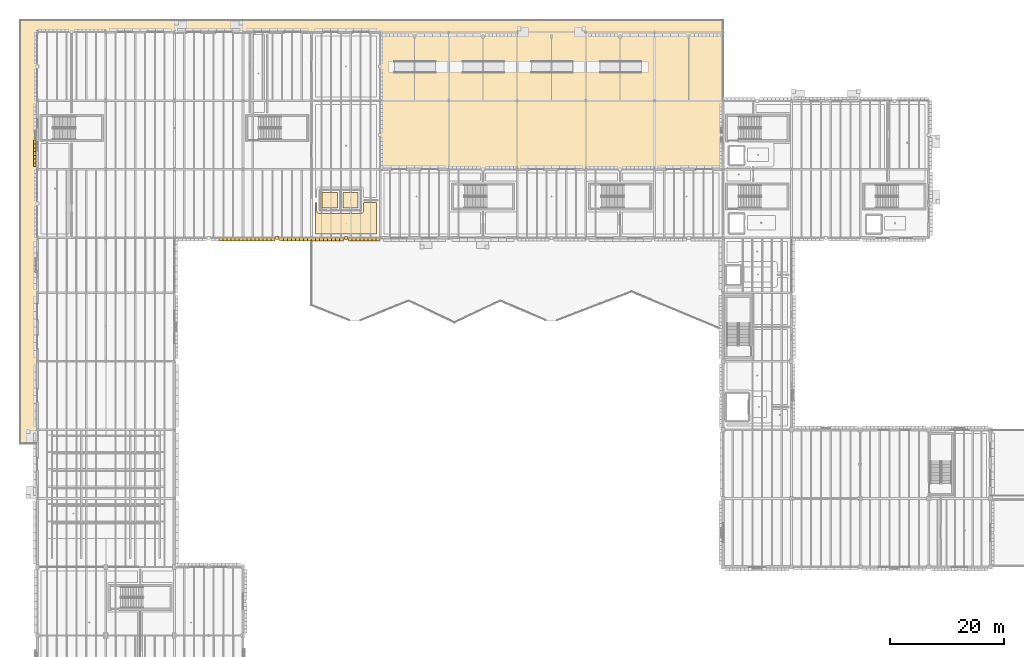
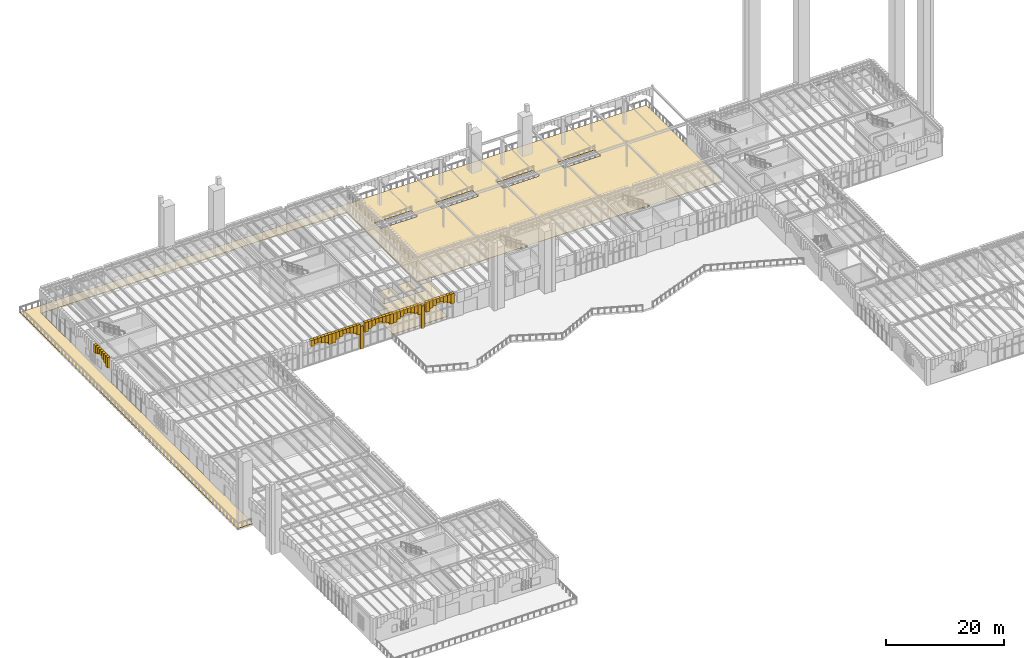
# One storey, part 78 of 103: 54 coverings.
"""IFC4 building model written with IfcOpenShell, lengths in metres."""

from ifc_helpers import new_model, si_unit, direction, frame, origin, place, context, subcontext, project, spatial, polyline, outline, extrude, material, layer, layer_set, type_object, element, save


model = new_model("IFC4")

# Units and contexts
model_context = context("Model", 3, precision=1e-05, world=origin(), true_north=direction((0.0, 1.0)))
body_context = subcontext(model_context, "Body", "Model", "MODEL_VIEW")
ifc_project = project(units=[si_unit("LENGTHUNIT", "METRE"), si_unit("AREAUNIT", "SQUARE_METRE"), si_unit("VOLUMEUNIT", "CUBIC_METRE"), si_unit("PLANEANGLEUNIT", "RADIAN"), si_unit("MASSUNIT", "GRAM", prefix="KILO")], contexts=[model_context])

# Site, building, storey
site_placement = place(None, origin())
site = spatial("IfcSite", under=ifc_project, at=site_placement, CompositionType="ELEMENT")
building_placement = place(site_placement, origin())
building = spatial("IfcBuilding", under=site, at=building_placement, Name="Zlatogorsky Bluff Art Gallery", CompositionType="ELEMENT")
storey_placement = place(building_placement, origin())
storey = spatial("IfcBuildingStorey", under=building, at=storey_placement, Name="L00", CompositionType="ELEMENT", Elevation=0.0)

# Coverings
ifc_material_1 = material(Name="Perforated Gypsum Acoustic Board", Category="gypsum")
ifc_layer_1 = layer(ifc_material_1, 0.0400390625)
ifc_layer_set_1 = layer_set([ifc_layer_1], Name="Acoustic Gallery Ceiling CLG-01")
covering_type_1 = type_object("IfcCoveringType", Name="Acoustic Gallery Ceiling CLG-01", PredefinedType="CEILING", material=ifc_layer_set_1)
covering_1_placement = place(storey_placement, frame((0.0, 0.0, 4.050048828125)))
element("IfcCovering", 1, at=covering_1_placement, inside=storey, type_object=covering_type_1, Name="Public Restrooms and Staff WC acoustic ceiling", PredefinedType="CEILING", context=body_context, shape_type="SweptSolid", body=[
    extrude(outline(polyline([(52.550048828125, 91.949951171875), (52.550048828125, 89.25), (49.85009765625, 89.25), (49.85009765625, 91.949951171875), (52.550048828125, 91.949951171875)])), origin(), (0.0, 0.0, 1.0), 0.0400390625),
])
covering_2_placement = place(storey_placement, frame((0.0, 0.0, 4.050048828125)))
element("IfcCovering", 2, at=covering_2_placement, inside=storey, type_object=covering_type_1, Name="Accessible WC acoustic ceiling", PredefinedType="CEILING", context=body_context, shape_type="SweptSolid", body=[
    extrude(outline(polyline([(56.14990234375, 89.25), (53.5, 89.25), (53.5, 91.949951171875), (56.14990234375, 91.949951171875), (56.14990234375, 89.25)])), origin(), (0.0, 0.0, 1.0), 0.0400390625),
])
covering_3_placement = place(storey_placement, frame((0.0, 0.0, 4.050048828125)))
element("IfcCovering", 3, at=covering_3_placement, inside=storey, type_object=covering_type_1, Name="Grand Glazed Foyer and Winter-Garden Concourse acoustic ceiling", PredefinedType="CEILING", context=body_context, shape_type="SweptSolid", body=[
    extrude(outline(polyline([(48.669921875, 84.669921875), (48.669921875, 90.14990234375), (48.89990234375, 90.14990234375), (48.89990234375, 88.75), (48.902099609375, 88.705810546875), (48.90869140625, 88.662109375), (48.91943359375, 88.619384765625), (48.934326171875, 88.577880859375), (48.953125, 88.537841796875), (48.975830078125, 88.5), (49.002197265625, 88.464599609375), (49.03173828125, 88.431884765625), (49.064453125, 88.402099609375), (49.10009765625, 88.375732421875), (49.137939453125, 88.35302734375), (49.177734375, 88.334228515625), (49.219482421875, 88.3193359375), (49.26220703125, 88.30859375), (49.305908203125, 88.30224609375), (49.35009765625, 88.300048828125), (56.64990234375, 88.300048828125), (56.694091796875, 88.30224609375), (56.73779296875, 88.30859375), (56.780517578125, 88.3193359375), (56.822265625, 88.334228515625), (56.862060546875, 88.35302734375), (56.89990234375, 88.375732421875), (56.935546875, 88.402099609375), (56.96826171875, 88.431884765625), (56.997802734375, 88.464599609375), (57.024169921875, 88.5), (57.046875, 88.537841796875), (57.065673828125, 88.577880859375), (57.08056640625, 88.619384765625), (57.09130859375, 88.662109375), (57.097900390625, 88.705810546875), (57.10009765625, 88.75), (57.10009765625, 90.14990234375), (59.330078125, 90.14990234375), (59.330078125, 84.669921875), (48.669921875, 84.669921875)])), origin(), (0.0, 0.0, 1.0), 0.0400390625),
])
ifc_material_2 = material(Name="Honed Red Agra-Tone Quartzitic Sandstone", Category="masonry")
ifc_layer_2 = layer(ifc_material_2, 0.1201171875)
ifc_layer_set_2 = layer_set([ifc_layer_2], Name="Carved Sandstone Cladding CLD-02")
covering_type_2 = type_object("IfcCoveringType", Name="Carved Sandstone Cladding CLD-02", PredefinedType="CLADDING", material=ifc_layer_set_2)
covering_4_placement = place(storey_placement, frame((0.0, 0.0, 3.21240234375)))
element("IfcCovering", 4, at=covering_4_placement, inside=storey, type_object=covering_type_2, Name="Pointed Mughal arch voussoir spandrel WARCH-L00-W-00-09-A.1", PredefinedType="CLADDING", context=body_context, shape_type="SweptSolid", body=[
    extrude(outline(polyline([(-0.679931640625, 96.449951171875), (-0.679931640625, 97.112548828125), (-0.18994140625, 97.112548828125), (-0.18994140625, 96.449951171875), (-0.679931640625, 96.449951171875)])), origin(), (0.0, 0.0, 1.0), 2.147705078125),
])
covering_5_placement = place(storey_placement, frame((0.0, 0.0, 3.743896484375)))
element("IfcCovering", 5, at=covering_5_placement, inside=storey, type_object=covering_type_2, Name="Pointed Mughal arch voussoir spandrel WARCH-L00-W-00-09-A.2", PredefinedType="CLADDING", context=body_context, shape_type="SweptSolid", body=[
    extrude(outline(polyline([(-0.679931640625, 97.112548828125), (-0.679931640625, 97.77490234375), (-0.18994140625, 97.77490234375), (-0.18994140625, 97.112548828125), (-0.679931640625, 97.112548828125)])), origin(), (0.0, 0.0, 1.0), 1.6162109375),
])
covering_6_placement = place(storey_placement, frame((0.0, 0.0, 4.03662109375)))
element("IfcCovering", 6, at=covering_6_placement, inside=storey, type_object=covering_type_2, Name="Pointed Mughal arch voussoir spandrel WARCH-L00-W-00-09-A.3", PredefinedType="CLADDING", context=body_context, shape_type="SweptSolid", body=[
    extrude(outline(polyline([(-0.679931640625, 97.77490234375), (-0.679931640625, 98.4375), (-0.18994140625, 98.4375), (-0.18994140625, 97.77490234375), (-0.679931640625, 97.77490234375)])), origin(), (0.0, 0.0, 1.0), 1.323486328125),
])
covering_7_placement = place(storey_placement, frame((0.0, 0.0, 4.405517578125)))
element("IfcCovering", 7, at=covering_7_placement, inside=storey, type_object=covering_type_2, Name="Pointed Mughal arch voussoir spandrel WARCH-L00-W-00-09-A.4", PredefinedType="CLADDING", context=body_context, shape_type="SweptSolid", body=[
    extrude(outline(polyline([(-0.679931640625, 98.4375), (-0.679931640625, 99.10009765625), (-0.18994140625, 99.10009765625), (-0.18994140625, 98.4375), (-0.679931640625, 98.4375)])), origin(), (0.0, 0.0, 1.0), 0.95458984375),
])
covering_8_placement = place(storey_placement, frame((0.0, 0.0, 4.405517578125)))
element("IfcCovering", 8, at=covering_8_placement, inside=storey, type_object=covering_type_2, Name="Pointed Mughal arch voussoir spandrel WARCH-L00-W-00-09-A.5", PredefinedType="CLADDING", context=body_context, shape_type="SweptSolid", body=[
    extrude(outline(polyline([(-0.679931640625, 99.10009765625), (-0.679931640625, 99.762451171875), (-0.18994140625, 99.762451171875), (-0.18994140625, 99.10009765625), (-0.679931640625, 99.10009765625)])), origin(), (0.0, 0.0, 1.0), 0.95458984375),
])
covering_9_placement = place(storey_placement, frame((0.0, 0.0, 4.03662109375)))
element("IfcCovering", 9, at=covering_9_placement, inside=storey, type_object=covering_type_2, Name="Pointed Mughal arch voussoir spandrel WARCH-L00-W-00-09-A.6", PredefinedType="CLADDING", context=body_context, shape_type="SweptSolid", body=[
    extrude(outline(polyline([(-0.679931640625, 99.762451171875), (-0.679931640625, 100.425048828125), (-0.18994140625, 100.425048828125), (-0.18994140625, 99.762451171875), (-0.679931640625, 99.762451171875)])), origin(), (0.0, 0.0, 1.0), 1.323486328125),
])
covering_10_placement = place(storey_placement, frame((0.0, 0.0, 3.743896484375)))
element("IfcCovering", 10, at=covering_10_placement, inside=storey, type_object=covering_type_2, Name="Pointed Mughal arch voussoir spandrel WARCH-L00-W-00-09-A.7", PredefinedType="CLADDING", context=body_context, shape_type="SweptSolid", body=[
    extrude(outline(polyline([(-0.679931640625, 100.425048828125), (-0.679931640625, 101.08740234375), (-0.18994140625, 101.08740234375), (-0.18994140625, 100.425048828125), (-0.679931640625, 100.425048828125)])), origin(), (0.0, 0.0, 1.0), 1.6162109375),
])
covering_11_placement = place(storey_placement, frame((0.0, 0.0, 4.1064453125)))
element("IfcCovering", 11, at=covering_11_placement, inside=storey, type_object=covering_type_2, Name="Pointed Mughal arch voussoir spandrel ARCH-CW-L00-S-02-08-B.3", PredefinedType="CLADDING", context=body_context, shape_type="SweptSolid", body=[
    extrude(outline(polyline([(31.81494140625, 83.4599609375), (32.512451171875, 83.4599609375), (32.512451171875, 84.030029296875), (31.81494140625, 84.030029296875), (31.81494140625, 83.4599609375)])), origin(), (0.0, 0.0, 1.0), 1.253662109375),
])
covering_12_placement = place(storey_placement, frame((0.0, 0.0, 4.45458984375)))
element("IfcCovering", 12, at=covering_12_placement, inside=storey, type_object=covering_type_2, Name="Pointed Mughal arch voussoir spandrel ARCH-CW-L00-S-02-08-B.4", PredefinedType="CLADDING", context=body_context, shape_type="SweptSolid", body=[
    extrude(outline(polyline([(32.512451171875, 83.4599609375), (33.2099609375, 83.4599609375), (33.2099609375, 84.030029296875), (32.512451171875, 84.030029296875), (32.512451171875, 83.4599609375)])), origin(), (0.0, 0.0, 1.0), 0.905517578125),
])
covering_13_placement = place(storey_placement, frame((0.0, 0.0, 4.45458984375)))
element("IfcCovering", 13, at=covering_13_placement, inside=storey, type_object=covering_type_2, Name="Pointed Mughal arch voussoir spandrel ARCH-CW-L00-S-02-08-B.5", PredefinedType="CLADDING", context=body_context, shape_type="SweptSolid", body=[
    extrude(outline(polyline([(33.2099609375, 83.4599609375), (33.907470703125, 83.4599609375), (33.907470703125, 84.030029296875), (33.2099609375, 84.030029296875), (33.2099609375, 83.4599609375)])), origin(), (0.0, 0.0, 1.0), 0.905517578125),
])
covering_14_placement = place(storey_placement, frame((0.0, 0.0, 4.1064453125)))
element("IfcCovering", 14, at=covering_14_placement, inside=storey, type_object=covering_type_2, Name="Pointed Mughal arch voussoir spandrel ARCH-CW-L00-S-02-08-B.6", PredefinedType="CLADDING", context=body_context, shape_type="SweptSolid", body=[
    extrude(outline(polyline([(33.907470703125, 83.4599609375), (34.60498046875, 83.4599609375), (34.60498046875, 84.030029296875), (33.907470703125, 84.030029296875), (33.907470703125, 83.4599609375)])), origin(), (0.0, 0.0, 1.0), 1.253662109375),
])
covering_15_placement = place(storey_placement, frame((0.0, 0.0, 3.82958984375)))
element("IfcCovering", 15, at=covering_15_placement, inside=storey, type_object=covering_type_2, Name="Pointed Mughal arch voussoir spandrel ARCH-CW-L00-S-02-08-B.7", PredefinedType="CLADDING", context=body_context, shape_type="SweptSolid", body=[
    extrude(outline(polyline([(34.60498046875, 83.4599609375), (35.302490234375, 83.4599609375), (35.302490234375, 84.030029296875), (34.60498046875, 84.030029296875), (34.60498046875, 83.4599609375)])), origin(), (0.0, 0.0, 1.0), 1.530517578125),
])
covering_16_placement = place(storey_placement, frame((0.0, 0.0, 3.327880859375)))
element("IfcCovering", 16, at=covering_16_placement, inside=storey, type_object=covering_type_2, Name="Pointed Mughal arch voussoir spandrel ARCH-CW-L00-S-02-08-B.8", PredefinedType="CLADDING", context=body_context, shape_type="SweptSolid", body=[
    extrude(outline(polyline([(35.302490234375, 83.4599609375), (36.0, 83.4599609375), (36.0, 84.030029296875), (35.302490234375, 84.030029296875), (35.302490234375, 83.4599609375)])), origin(), (0.0, 0.0, 1.0), 2.0322265625),
])
covering_17_placement = place(storey_placement, frame((0.0, 0.0, -0.030029296875)))
element("IfcCovering", 17, at=covering_17_placement, inside=storey, type_object=covering_type_2, Name="Mughal dalan central sandstone pier L00 S 3.8", PredefinedType="CLADDING", context=body_context, shape_type="SweptSolid", body=[
    extrude(outline(polyline([(41.719970703125, 83.719970703125), (42.280029296875, 83.719970703125), (42.280029296875, 84.280029296875), (41.719970703125, 84.280029296875), (41.719970703125, 83.719970703125)])), origin(), (0.0, 0.0, 1.0), 4.68994140625),
])
covering_18_placement = place(storey_placement, frame((0.0, 0.0, 3.327880859375)))
element("IfcCovering", 18, at=covering_18_placement, inside=storey, type_object=covering_type_2, Name="Pointed Mughal arch voussoir spandrel ARCH-CW-L00-S-03-08-A.1", PredefinedType="CLADDING", context=body_context, shape_type="SweptSolid", body=[
    extrude(outline(polyline([(36.0, 83.4599609375), (36.697509765625, 83.4599609375), (36.697509765625, 84.030029296875), (36.0, 84.030029296875), (36.0, 83.4599609375)])), origin(), (0.0, 0.0, 1.0), 2.0322265625),
])
covering_19_placement = place(storey_placement, frame((0.0, 0.0, 3.82958984375)))
element("IfcCovering", 19, at=covering_19_placement, inside=storey, type_object=covering_type_2, Name="Pointed Mughal arch voussoir spandrel ARCH-CW-L00-S-03-08-A.2", PredefinedType="CLADDING", context=body_context, shape_type="SweptSolid", body=[
    extrude(outline(polyline([(36.697509765625, 83.4599609375), (37.39501953125, 83.4599609375), (37.39501953125, 84.030029296875), (36.697509765625, 84.030029296875), (36.697509765625, 83.4599609375)])), origin(), (0.0, 0.0, 1.0), 1.530517578125),
])
covering_20_placement = place(storey_placement, frame((0.0, 0.0, 4.1064453125)))
element("IfcCovering", 20, at=covering_20_placement, inside=storey, type_object=covering_type_2, Name="Pointed Mughal arch voussoir spandrel ARCH-CW-L00-S-03-08-A.3", PredefinedType="CLADDING", context=body_context, shape_type="SweptSolid", body=[
    extrude(outline(polyline([(37.39501953125, 83.4599609375), (38.092529296875, 83.4599609375), (38.092529296875, 84.030029296875), (37.39501953125, 84.030029296875), (37.39501953125, 83.4599609375)])), origin(), (0.0, 0.0, 1.0), 1.253662109375),
])
covering_21_placement = place(storey_placement, frame((0.0, 0.0, 4.45458984375)))
element("IfcCovering", 21, at=covering_21_placement, inside=storey, type_object=covering_type_2, Name="Pointed Mughal arch voussoir spandrel ARCH-CW-L00-S-03-08-A.4", PredefinedType="CLADDING", context=body_context, shape_type="SweptSolid", body=[
    extrude(outline(polyline([(38.092529296875, 83.4599609375), (38.7900390625, 83.4599609375), (38.7900390625, 84.030029296875), (38.092529296875, 84.030029296875), (38.092529296875, 83.4599609375)])), origin(), (0.0, 0.0, 1.0), 0.905517578125),
])
covering_22_placement = place(storey_placement, frame((0.0, 0.0, 4.45458984375)))
element("IfcCovering", 22, at=covering_22_placement, inside=storey, type_object=covering_type_2, Name="Pointed Mughal arch voussoir spandrel ARCH-CW-L00-S-03-08-A.5", PredefinedType="CLADDING", context=body_context, shape_type="SweptSolid", body=[
    extrude(outline(polyline([(38.7900390625, 83.4599609375), (39.487548828125, 83.4599609375), (39.487548828125, 84.030029296875), (38.7900390625, 84.030029296875), (38.7900390625, 83.4599609375)])), origin(), (0.0, 0.0, 1.0), 0.905517578125),
])
covering_23_placement = place(storey_placement, frame((0.0, 0.0, 4.1064453125)))
element("IfcCovering", 23, at=covering_23_placement, inside=storey, type_object=covering_type_2, Name="Pointed Mughal arch voussoir spandrel ARCH-CW-L00-S-03-08-A.6", PredefinedType="CLADDING", context=body_context, shape_type="SweptSolid", body=[
    extrude(outline(polyline([(39.487548828125, 83.4599609375), (40.18505859375, 83.4599609375), (40.18505859375, 84.030029296875), (39.487548828125, 84.030029296875), (39.487548828125, 83.4599609375)])), origin(), (0.0, 0.0, 1.0), 1.253662109375),
])
covering_24_placement = place(storey_placement, frame((0.0, 0.0, 3.82958984375)))
element("IfcCovering", 24, at=covering_24_placement, inside=storey, type_object=covering_type_2, Name="Pointed Mughal arch voussoir spandrel ARCH-CW-L00-S-03-08-A.7", PredefinedType="CLADDING", context=body_context, shape_type="SweptSolid", body=[
    extrude(outline(polyline([(40.18505859375, 83.4599609375), (40.882568359375, 83.4599609375), (40.882568359375, 84.030029296875), (40.18505859375, 84.030029296875), (40.18505859375, 83.4599609375)])), origin(), (0.0, 0.0, 1.0), 1.530517578125),
])
covering_25_placement = place(storey_placement, frame((0.0, 0.0, 3.327880859375)))
element("IfcCovering", 25, at=covering_25_placement, inside=storey, type_object=covering_type_2, Name="Pointed Mughal arch voussoir spandrel ARCH-CW-L00-S-03-08-A.8", PredefinedType="CLADDING", context=body_context, shape_type="SweptSolid", body=[
    extrude(outline(polyline([(40.882568359375, 83.4599609375), (41.580078125, 83.4599609375), (41.580078125, 84.030029296875), (40.882568359375, 84.030029296875), (40.882568359375, 83.4599609375)])), origin(), (0.0, 0.0, 1.0), 2.0322265625),
])
covering_26_placement = place(storey_placement, frame((0.0, 0.0, 3.327880859375)))
element("IfcCovering", 26, at=covering_26_placement, inside=storey, type_object=covering_type_2, Name="Pointed Mughal arch voussoir spandrel ARCH-CW-L00-S-03-08-B.1", PredefinedType="CLADDING", context=body_context, shape_type="SweptSolid", body=[
    extrude(outline(polyline([(42.419921875, 83.4599609375), (43.117431640625, 83.4599609375), (43.117431640625, 84.030029296875), (42.419921875, 84.030029296875), (42.419921875, 83.4599609375)])), origin(), (0.0, 0.0, 1.0), 2.0322265625),
])
covering_27_placement = place(storey_placement, frame((0.0, 0.0, 3.82958984375)))
element("IfcCovering", 27, at=covering_27_placement, inside=storey, type_object=covering_type_2, Name="Pointed Mughal arch voussoir spandrel ARCH-CW-L00-S-03-08-B.2", PredefinedType="CLADDING", context=body_context, shape_type="SweptSolid", body=[
    extrude(outline(polyline([(43.117431640625, 83.4599609375), (43.81494140625, 83.4599609375), (43.81494140625, 84.030029296875), (43.117431640625, 84.030029296875), (43.117431640625, 83.4599609375)])), origin(), (0.0, 0.0, 1.0), 1.530517578125),
])
covering_28_placement = place(storey_placement, frame((0.0, 0.0, 4.1064453125)))
element("IfcCovering", 28, at=covering_28_placement, inside=storey, type_object=covering_type_2, Name="Pointed Mughal arch voussoir spandrel ARCH-CW-L00-S-03-08-B.3", PredefinedType="CLADDING", context=body_context, shape_type="SweptSolid", body=[
    extrude(outline(polyline([(43.81494140625, 83.4599609375), (44.512451171875, 83.4599609375), (44.512451171875, 84.030029296875), (43.81494140625, 84.030029296875), (43.81494140625, 83.4599609375)])), origin(), (0.0, 0.0, 1.0), 1.253662109375),
])
covering_29_placement = place(storey_placement, frame((0.0, 0.0, 4.45458984375)))
element("IfcCovering", 29, at=covering_29_placement, inside=storey, type_object=covering_type_2, Name="Pointed Mughal arch voussoir spandrel ARCH-CW-L00-S-03-08-B.4", PredefinedType="CLADDING", context=body_context, shape_type="SweptSolid", body=[
    extrude(outline(polyline([(44.512451171875, 83.4599609375), (45.2099609375, 83.4599609375), (45.2099609375, 84.030029296875), (44.512451171875, 84.030029296875), (44.512451171875, 83.4599609375)])), origin(), (0.0, 0.0, 1.0), 0.905517578125),
])
covering_30_placement = place(storey_placement, frame((0.0, 0.0, 4.45458984375)))
element("IfcCovering", 30, at=covering_30_placement, inside=storey, type_object=covering_type_2, Name="Pointed Mughal arch voussoir spandrel ARCH-CW-L00-S-03-08-B.5", PredefinedType="CLADDING", context=body_context, shape_type="SweptSolid", body=[
    extrude(outline(polyline([(45.2099609375, 83.4599609375), (45.907470703125, 83.4599609375), (45.907470703125, 84.030029296875), (45.2099609375, 84.030029296875), (45.2099609375, 83.4599609375)])), origin(), (0.0, 0.0, 1.0), 0.905517578125),
])
covering_31_placement = place(storey_placement, frame((0.0, 0.0, 4.1064453125)))
element("IfcCovering", 31, at=covering_31_placement, inside=storey, type_object=covering_type_2, Name="Pointed Mughal arch voussoir spandrel ARCH-CW-L00-S-03-08-B.6", PredefinedType="CLADDING", context=body_context, shape_type="SweptSolid", body=[
    extrude(outline(polyline([(45.907470703125, 83.4599609375), (46.60498046875, 83.4599609375), (46.60498046875, 84.030029296875), (45.907470703125, 84.030029296875), (45.907470703125, 83.4599609375)])), origin(), (0.0, 0.0, 1.0), 1.253662109375),
])
covering_32_placement = place(storey_placement, frame((0.0, 0.0, 3.82958984375)))
element("IfcCovering", 32, at=covering_32_placement, inside=storey, type_object=covering_type_2, Name="Pointed Mughal arch voussoir spandrel ARCH-CW-L00-S-03-08-B.7", PredefinedType="CLADDING", context=body_context, shape_type="SweptSolid", body=[
    extrude(outline(polyline([(46.60498046875, 83.4599609375), (47.302490234375, 83.4599609375), (47.302490234375, 84.030029296875), (46.60498046875, 84.030029296875), (46.60498046875, 83.4599609375)])), origin(), (0.0, 0.0, 1.0), 1.530517578125),
])
covering_33_placement = place(storey_placement, frame((0.0, 0.0, 3.327880859375)))
element("IfcCovering", 33, at=covering_33_placement, inside=storey, type_object=covering_type_2, Name="Pointed Mughal arch voussoir spandrel ARCH-CW-L00-S-03-08-B.8", PredefinedType="CLADDING", context=body_context, shape_type="SweptSolid", body=[
    extrude(outline(polyline([(47.302490234375, 83.4599609375), (48.0, 83.4599609375), (48.0, 84.030029296875), (47.302490234375, 84.030029296875), (47.302490234375, 83.4599609375)])), origin(), (0.0, 0.0, 1.0), 2.0322265625),
])
covering_34_placement = place(storey_placement, frame((0.0, 0.0, -0.030029296875)))
element("IfcCovering", 34, at=covering_34_placement, inside=storey, type_object=covering_type_2, Name="Mughal dalan central sandstone pier L00 S 4.8", PredefinedType="CLADDING", context=body_context, shape_type="SweptSolid", body=[
    extrude(outline(polyline([(53.719970703125, 83.719970703125), (54.280029296875, 83.719970703125), (54.280029296875, 84.280029296875), (53.719970703125, 84.280029296875), (53.719970703125, 83.719970703125)])), origin(), (0.0, 0.0, 1.0), 4.68994140625),
])
covering_35_placement = place(storey_placement, frame((0.0, 0.0, 3.327880859375)))
element("IfcCovering", 35, at=covering_35_placement, inside=storey, type_object=covering_type_2, Name="Pointed Mughal arch voussoir spandrel ARCH-CW-L00-S-04-08-A.1", PredefinedType="CLADDING", context=body_context, shape_type="SweptSolid", body=[
    extrude(outline(polyline([(48.0, 83.4599609375), (48.697509765625, 83.4599609375), (48.697509765625, 84.030029296875), (48.0, 84.030029296875), (48.0, 83.4599609375)])), origin(), (0.0, 0.0, 1.0), 2.0322265625),
])
covering_36_placement = place(storey_placement, frame((0.0, 0.0, 3.82958984375)))
element("IfcCovering", 36, at=covering_36_placement, inside=storey, type_object=covering_type_2, Name="Pointed Mughal arch voussoir spandrel ARCH-CW-L00-S-04-08-A.2", PredefinedType="CLADDING", context=body_context, shape_type="SweptSolid", body=[
    extrude(outline(polyline([(48.697509765625, 83.4599609375), (49.39501953125, 83.4599609375), (49.39501953125, 84.030029296875), (48.697509765625, 84.030029296875), (48.697509765625, 83.4599609375)])), origin(), (0.0, 0.0, 1.0), 1.530517578125),
])
covering_37_placement = place(storey_placement, frame((0.0, 0.0, 4.1064453125)))
element("IfcCovering", 37, at=covering_37_placement, inside=storey, type_object=covering_type_2, Name="Pointed Mughal arch voussoir spandrel ARCH-CW-L00-S-04-08-A.3", PredefinedType="CLADDING", context=body_context, shape_type="SweptSolid", body=[
    extrude(outline(polyline([(49.39501953125, 83.4599609375), (50.092529296875, 83.4599609375), (50.092529296875, 84.030029296875), (49.39501953125, 84.030029296875), (49.39501953125, 83.4599609375)])), origin(), (0.0, 0.0, 1.0), 1.253662109375),
])
covering_38_placement = place(storey_placement, frame((0.0, 0.0, 4.45458984375)))
element("IfcCovering", 38, at=covering_38_placement, inside=storey, type_object=covering_type_2, Name="Pointed Mughal arch voussoir spandrel ARCH-CW-L00-S-04-08-A.4", PredefinedType="CLADDING", context=body_context, shape_type="SweptSolid", body=[
    extrude(outline(polyline([(50.092529296875, 83.4599609375), (50.7900390625, 83.4599609375), (50.7900390625, 84.030029296875), (50.092529296875, 84.030029296875), (50.092529296875, 83.4599609375)])), origin(), (0.0, 0.0, 1.0), 0.905517578125),
])
covering_39_placement = place(storey_placement, frame((0.0, 0.0, 4.45458984375)))
element("IfcCovering", 39, at=covering_39_placement, inside=storey, type_object=covering_type_2, Name="Pointed Mughal arch voussoir spandrel ARCH-CW-L00-S-04-08-A.5", PredefinedType="CLADDING", context=body_context, shape_type="SweptSolid", body=[
    extrude(outline(polyline([(50.7900390625, 83.4599609375), (51.487548828125, 83.4599609375), (51.487548828125, 84.030029296875), (50.7900390625, 84.030029296875), (50.7900390625, 83.4599609375)])), origin(), (0.0, 0.0, 1.0), 0.905517578125),
])
covering_40_placement = place(storey_placement, frame((0.0, 0.0, 4.1064453125)))
element("IfcCovering", 40, at=covering_40_placement, inside=storey, type_object=covering_type_2, Name="Pointed Mughal arch voussoir spandrel ARCH-CW-L00-S-04-08-A.6", PredefinedType="CLADDING", context=body_context, shape_type="SweptSolid", body=[
    extrude(outline(polyline([(51.487548828125, 83.4599609375), (52.18505859375, 83.4599609375), (52.18505859375, 84.030029296875), (51.487548828125, 84.030029296875), (51.487548828125, 83.4599609375)])), origin(), (0.0, 0.0, 1.0), 1.253662109375),
])
covering_41_placement = place(storey_placement, frame((0.0, 0.0, 3.82958984375)))
element("IfcCovering", 41, at=covering_41_placement, inside=storey, type_object=covering_type_2, Name="Pointed Mughal arch voussoir spandrel ARCH-CW-L00-S-04-08-A.7", PredefinedType="CLADDING", context=body_context, shape_type="SweptSolid", body=[
    extrude(outline(polyline([(52.18505859375, 83.4599609375), (52.882568359375, 83.4599609375), (52.882568359375, 84.030029296875), (52.18505859375, 84.030029296875), (52.18505859375, 83.4599609375)])), origin(), (0.0, 0.0, 1.0), 1.530517578125),
])
covering_42_placement = place(storey_placement, frame((0.0, 0.0, 3.327880859375)))
element("IfcCovering", 42, at=covering_42_placement, inside=storey, type_object=covering_type_2, Name="Pointed Mughal arch voussoir spandrel ARCH-CW-L00-S-04-08-A.8", PredefinedType="CLADDING", context=body_context, shape_type="SweptSolid", body=[
    extrude(outline(polyline([(52.882568359375, 83.4599609375), (53.580078125, 83.4599609375), (53.580078125, 84.030029296875), (52.882568359375, 84.030029296875), (52.882568359375, 83.4599609375)])), origin(), (0.0, 0.0, 1.0), 2.0322265625),
])
covering_43_placement = place(storey_placement, frame((0.0, 0.0, 3.327880859375)))
element("IfcCovering", 43, at=covering_43_placement, inside=storey, type_object=covering_type_2, Name="Pointed Mughal arch voussoir spandrel ARCH-CW-L00-S-04-08-B.1", PredefinedType="CLADDING", context=body_context, shape_type="SweptSolid", body=[
    extrude(outline(polyline([(54.419921875, 83.4599609375), (55.117431640625, 83.4599609375), (55.117431640625, 84.030029296875), (54.419921875, 84.030029296875), (54.419921875, 83.4599609375)])), origin(), (0.0, 0.0, 1.0), 2.0322265625),
])
covering_44_placement = place(storey_placement, frame((0.0, 0.0, 3.82958984375)))
element("IfcCovering", 44, at=covering_44_placement, inside=storey, type_object=covering_type_2, Name="Pointed Mughal arch voussoir spandrel ARCH-CW-L00-S-04-08-B.2", PredefinedType="CLADDING", context=body_context, shape_type="SweptSolid", body=[
    extrude(outline(polyline([(55.117431640625, 83.4599609375), (55.81494140625, 83.4599609375), (55.81494140625, 84.030029296875), (55.117431640625, 84.030029296875), (55.117431640625, 83.4599609375)])), origin(), (0.0, 0.0, 1.0), 1.530517578125),
])
covering_45_placement = place(storey_placement, frame((0.0, 0.0, 4.1064453125)))
element("IfcCovering", 45, at=covering_45_placement, inside=storey, type_object=covering_type_2, Name="Pointed Mughal arch voussoir spandrel ARCH-CW-L00-S-04-08-B.3", PredefinedType="CLADDING", context=body_context, shape_type="SweptSolid", body=[
    extrude(outline(polyline([(55.81494140625, 83.4599609375), (56.512451171875, 83.4599609375), (56.512451171875, 84.030029296875), (55.81494140625, 84.030029296875), (55.81494140625, 83.4599609375)])), origin(), (0.0, 0.0, 1.0), 1.253662109375),
])
covering_46_placement = place(storey_placement, frame((0.0, 0.0, 4.45458984375)))
element("IfcCovering", 46, at=covering_46_placement, inside=storey, type_object=covering_type_2, Name="Pointed Mughal arch voussoir spandrel ARCH-CW-L00-S-04-08-B.4", PredefinedType="CLADDING", context=body_context, shape_type="SweptSolid", body=[
    extrude(outline(polyline([(56.512451171875, 83.4599609375), (57.2099609375, 83.4599609375), (57.2099609375, 84.030029296875), (56.512451171875, 84.030029296875), (56.512451171875, 83.4599609375)])), origin(), (0.0, 0.0, 1.0), 0.905517578125),
])
covering_47_placement = place(storey_placement, frame((0.0, 0.0, 4.45458984375)))
element("IfcCovering", 47, at=covering_47_placement, inside=storey, type_object=covering_type_2, Name="Pointed Mughal arch voussoir spandrel ARCH-CW-L00-S-04-08-B.5", PredefinedType="CLADDING", context=body_context, shape_type="SweptSolid", body=[
    extrude(outline(polyline([(57.2099609375, 83.4599609375), (57.907470703125, 83.4599609375), (57.907470703125, 84.030029296875), (57.2099609375, 84.030029296875), (57.2099609375, 83.4599609375)])), origin(), (0.0, 0.0, 1.0), 0.905517578125),
])
covering_48_placement = place(storey_placement, frame((0.0, 0.0, 4.1064453125)))
element("IfcCovering", 48, at=covering_48_placement, inside=storey, type_object=covering_type_2, Name="Pointed Mughal arch voussoir spandrel ARCH-CW-L00-S-04-08-B.6", PredefinedType="CLADDING", context=body_context, shape_type="SweptSolid", body=[
    extrude(outline(polyline([(57.907470703125, 83.4599609375), (58.60498046875, 83.4599609375), (58.60498046875, 84.030029296875), (57.907470703125, 84.030029296875), (57.907470703125, 83.4599609375)])), origin(), (0.0, 0.0, 1.0), 1.253662109375),
])
covering_49_placement = place(storey_placement, frame((0.0, 0.0, 3.82958984375)))
element("IfcCovering", 49, at=covering_49_placement, inside=storey, type_object=covering_type_2, Name="Pointed Mughal arch voussoir spandrel ARCH-CW-L00-S-04-08-B.7", PredefinedType="CLADDING", context=body_context, shape_type="SweptSolid", body=[
    extrude(outline(polyline([(58.60498046875, 83.4599609375), (59.302490234375, 83.4599609375), (59.302490234375, 84.030029296875), (58.60498046875, 84.030029296875), (58.60498046875, 83.4599609375)])), origin(), (0.0, 0.0, 1.0), 1.530517578125),
])
covering_50_placement = place(storey_placement, frame((0.0, 0.0, 3.327880859375)))
element("IfcCovering", 50, at=covering_50_placement, inside=storey, type_object=covering_type_2, Name="Pointed Mughal arch voussoir spandrel ARCH-CW-L00-S-04-08-B.8", PredefinedType="CLADDING", context=body_context, shape_type="SweptSolid", body=[
    extrude(outline(polyline([(59.302490234375, 83.4599609375), (60.0, 83.4599609375), (60.0, 84.030029296875), (59.302490234375, 84.030029296875), (59.302490234375, 83.4599609375)])), origin(), (0.0, 0.0, 1.0), 2.0322265625),
])
ifc_material_3 = material(Name="Flamed Karelian Granite and Red Porphyry Charbagh Paving", Category="masonry")
ifc_layer_3 = layer(ifc_material_3, 0.06005859375)
ifc_layer_set_3 = layer_set([ifc_layer_3], Name="Granite Plaza Paving PAV-01")
covering_type_3 = type_object("IfcCoveringType", Name="Granite Plaza Paving PAV-01", PredefinedType="FLOORING", material=ifc_layer_set_3)
covering_51_placement = place(storey_placement, origin())
element("IfcCovering", 51, at=covering_51_placement, inside=storey, type_object=covering_type_3, Name="Charbagh granite & porphyry paving TERR-L00-N-01", PredefinedType="FLOORING", context=body_context, shape_type="SweptSolid", body=[
    extrude(outline(polyline([(-3.0, 48.0), (-3.0, 120.0), (-3.0, 122.10009765625), (120.0, 122.10009765625), (120.0, 120.0), (120.0, 114.89990234375), (120.0, 112.89990234375), (120.0, 108.0), (120.0, 96.0), (108.0, 96.0), (96.0, 96.0), (84.0, 96.0), (72.0, 96.0), (60.0, 96.0), (60.0, 108.0), (60.0, 112.89990234375), (60.0, 114.89990234375), (60.0, 120.0), (48.0, 120.0), (36.0, 120.0), (24.0, 120.0), (12.0, 120.0), (0.0, 120.0), (0.0, 108.0), (0.0, 96.0), (0.0, 84.0), (0.0, 74.39990234375), (0.0, 62.39990234375), (0.0, 50.39990234375), (0.0, 48.0), (-3.0, 48.0)]), holes=[polyline([(69.699951171875, 112.89990234375), (69.699951171875, 114.89990234375), (62.5, 114.89990234375), (62.5, 112.89990234375), (69.699951171875, 112.89990234375)]), polyline([(81.699951171875, 112.89990234375), (81.699951171875, 114.89990234375), (74.5, 114.89990234375), (74.5, 112.89990234375), (81.699951171875, 112.89990234375)]), polyline([(93.699951171875, 114.89990234375), (86.5, 114.89990234375), (86.5, 112.89990234375), (93.699951171875, 112.89990234375), (93.699951171875, 114.89990234375)]), polyline([(105.699951171875, 114.89990234375), (98.5, 114.89990234375), (98.5, 112.89990234375), (105.699951171875, 112.89990234375), (105.699951171875, 114.89990234375)])]), origin(), (0.0, 0.0, 1.0), 0.050048828125),
])
ifc_material_4 = material(Name="Polished Ural Marble Terrazzo", Category="masonry")
ifc_layer_4 = layer(ifc_material_4, 0.050048828125)
ifc_layer_set_4 = layer_set([ifc_layer_4], Name="Terrazzo Gallery Flooring FLR-01")
covering_type_4 = type_object("IfcCoveringType", Name="Terrazzo Gallery Flooring FLR-01", PredefinedType="FLOORING", material=ifc_layer_set_4)
covering_52_placement = place(storey_placement, origin())
element("IfcCovering", 52, at=covering_52_placement, inside=storey, type_object=covering_type_4, Name="Public Restrooms and Staff WC terrazzo floor finish", PredefinedType="FLOORING", context=body_context, shape_type="SweptSolid", body=[
    extrude(outline(polyline([(52.550048828125, 91.949951171875), (52.550048828125, 89.25), (49.85009765625, 89.25), (49.85009765625, 91.949951171875), (52.550048828125, 91.949951171875)])), origin(), (0.0, 0.0, 1.0), 0.050048828125),
])
covering_53_placement = place(storey_placement, origin())
element("IfcCovering", 53, at=covering_53_placement, inside=storey, type_object=covering_type_4, Name="Accessible WC terrazzo floor finish", PredefinedType="FLOORING", context=body_context, shape_type="SweptSolid", body=[
    extrude(outline(polyline([(56.14990234375, 89.25), (53.5, 89.25), (53.5, 91.949951171875), (56.14990234375, 91.949951171875), (56.14990234375, 89.25)])), origin(), (0.0, 0.0, 1.0), 0.050048828125),
])
covering_54_placement = place(storey_placement, origin())
element("IfcCovering", 54, at=covering_54_placement, inside=storey, type_object=covering_type_4, Name="Grand Glazed Foyer and Winter-Garden Concourse terrazzo floor finish", PredefinedType="FLOORING", context=body_context, shape_type="SweptSolid", body=[
    extrude(outline(polyline([(48.669921875, 84.669921875), (48.669921875, 90.14990234375), (48.89990234375, 90.14990234375), (48.89990234375, 88.75), (48.902099609375, 88.705810546875), (48.90869140625, 88.662109375), (48.91943359375, 88.619384765625), (48.934326171875, 88.577880859375), (48.953125, 88.537841796875), (48.975830078125, 88.5), (49.002197265625, 88.464599609375), (49.03173828125, 88.431884765625), (49.064453125, 88.402099609375), (49.10009765625, 88.375732421875), (49.137939453125, 88.35302734375), (49.177734375, 88.334228515625), (49.219482421875, 88.3193359375), (49.26220703125, 88.30859375), (49.305908203125, 88.30224609375), (49.35009765625, 88.300048828125), (56.64990234375, 88.300048828125), (56.694091796875, 88.30224609375), (56.73779296875, 88.30859375), (56.780517578125, 88.3193359375), (56.822265625, 88.334228515625), (56.862060546875, 88.35302734375), (56.89990234375, 88.375732421875), (56.935546875, 88.402099609375), (56.96826171875, 88.431884765625), (56.997802734375, 88.464599609375), (57.024169921875, 88.5), (57.046875, 88.537841796875), (57.065673828125, 88.577880859375), (57.08056640625, 88.619384765625), (57.09130859375, 88.662109375), (57.097900390625, 88.705810546875), (57.10009765625, 88.75), (57.10009765625, 90.14990234375), (59.330078125, 90.14990234375), (59.330078125, 84.669921875), (48.669921875, 84.669921875)])), origin(), (0.0, 0.0, 1.0), 0.050048828125),
])

save(model, "model.ifc")
